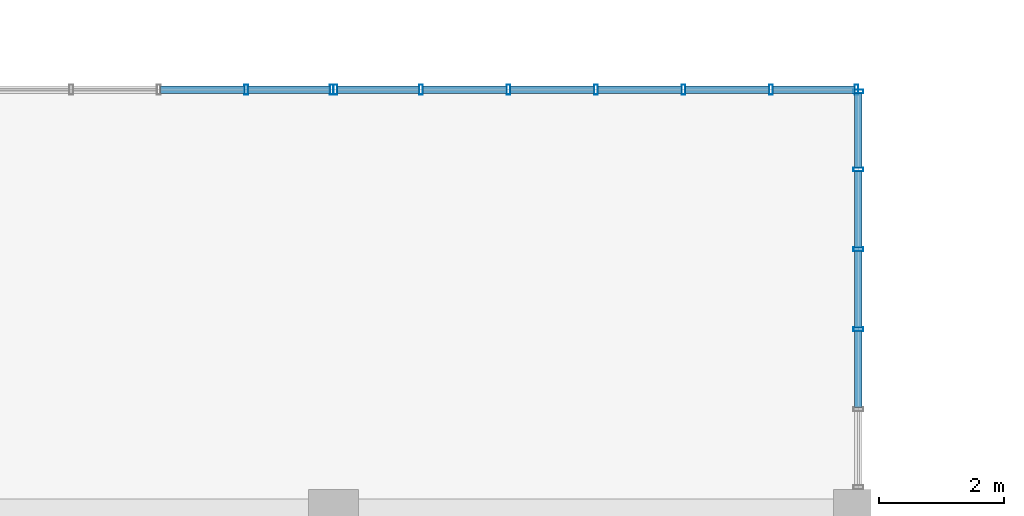
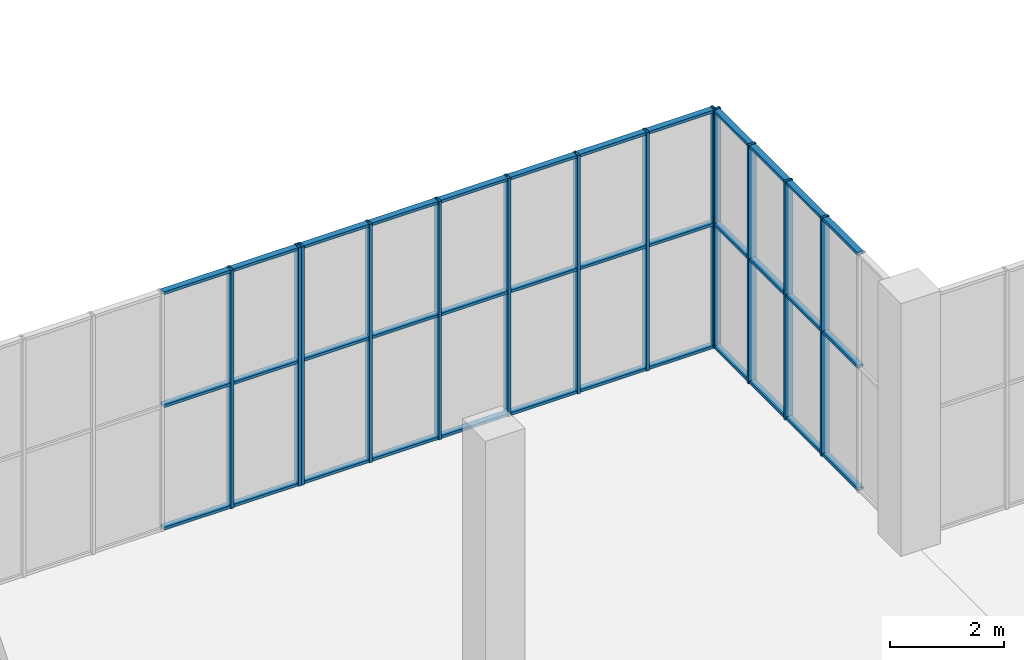
# One storey, part 33 of 91: 49 members, 3 elements without a shape of their own.
"""IFC4 building model written with IfcOpenShell, lengths in metres."""

from ifc_helpers import new_model, si_unit, direction, frame, origin, origin_2d, place, context, subcontext, project, spatial, hollow_rectangle, extrude, material, material_profile, profile_set, type_object, element, aggregate, save


model = new_model("IFC4")

# Units and contexts
model_context = context("Model", 3, precision=1e-05, world=origin(), true_north=direction((0.0, 1.0)))
body_context = subcontext(model_context, "Body", "Model", "MODEL_VIEW")
ifc_project = project(units=[si_unit("LENGTHUNIT", "METRE"), si_unit("AREAUNIT", "SQUARE_METRE"), si_unit("VOLUMEUNIT", "CUBIC_METRE"), si_unit("PLANEANGLEUNIT", "RADIAN"), si_unit("MASSUNIT", "GRAM", prefix="KILO")], contexts=[model_context])

# Site, building, storey
site_placement = place(None, origin())
site = spatial("IfcSite", under=ifc_project, at=site_placement, CompositionType="ELEMENT")
building_placement = place(site_placement, origin())
building = spatial("IfcBuilding", under=site, at=building_placement, Name="Khurvash Pelagic Aquarium", CompositionType="ELEMENT")
storey_placement = place(building_placement, origin())
storey = spatial("IfcBuildingStorey", under=building, at=storey_placement, Name="L00", CompositionType="ELEMENT", Elevation=0.0)

# Curtain wall, members
ifc_material_1 = material(Name="Anodised aluminium and low-E laminated glass", Category="aluminium")
curtain_wall_type_1 = type_object("IfcCurtainWallType", Name="CW-05", PredefinedType="USERDEFINED", material=ifc_material_1)
curtain_wall_1_placement = place(storey_placement, origin())
curtain_wall_1 = element("IfcCurtainWall", 1, at=curtain_wall_1_placement, inside=storey, type_object=curtain_wall_type_1, Name="L00 Facade Unitised Curtain Wall CW-05 0092", ObjectType="UNITISED CURTAIN WALL", PredefinedType="USERDEFINED")
ifc_material_2 = material(Name="Extruded aluminium AW-6063-T6", Category="aluminium")
ifc_material_profile_1 = material_profile(ifc_material_2, hollow_rectangle(XDim=0.06005859375, YDim=0.159912109375, WallThickness=0.00390625, at=origin_2d()), Name="CWM60X160X4")
ifc_profile_set_1 = profile_set([ifc_material_profile_1], Name="Extruded aluminium AW-6063-T6")
member_type_1 = type_object("IfcMemberType", Name="CM-02", PredefinedType="MULLION", material=ifc_profile_set_1)
member_1_placement = place(storey_placement, frame((109.199951171875, 32.712890625, 0.0), z_axis=(0.0, 0.0, 1.0), x_axis=(0.0, 1.0, 0.0)))
member_1 = element("IfcMember", 2, at=member_1_placement, type_object=member_type_1, Name="CW-05 mullion 3", PredefinedType="MULLION", context=body_context, shape_type="SweptSolid", body=[
    extrude(hollow_rectangle(XDim=0.06005859375, YDim=0.159912109375, WallThickness=0.00390625, at=origin_2d()), origin(), (0.0, 0.0, 1.0), 5.090087890625),
])
member_2_placement = place(storey_placement, frame((109.199951171875, 33.991943359375, 0.0), z_axis=(0.0, 0.0, 1.0), x_axis=(0.0, 1.0, 0.0)))
member_2 = element("IfcMember", 3, at=member_2_placement, type_object=member_type_1, Name="CW-05 mullion 4", PredefinedType="MULLION", context=body_context, shape_type="SweptSolid", body=[
    extrude(hollow_rectangle(XDim=0.06005859375, YDim=0.159912109375, WallThickness=0.00390625, at=origin_2d()), origin(), (0.0, 0.0, 1.0), 5.090087890625),
])
member_3_placement = place(storey_placement, frame((109.199951171875, 35.27099609375, 0.0), z_axis=(0.0, 0.0, 1.0), x_axis=(0.0, 1.0, 0.0)))
member_3 = element("IfcMember", 4, at=member_3_placement, type_object=member_type_1, Name="CW-05 mullion 5", PredefinedType="MULLION", context=body_context, shape_type="SweptSolid", body=[
    extrude(hollow_rectangle(XDim=0.06005859375, YDim=0.159912109375, WallThickness=0.00390625, at=origin_2d()), origin(), (0.0, 0.0, 1.0), 5.090087890625),
])
member_4_placement = place(storey_placement, frame((109.199951171875, 36.52001953125, 0.0), z_axis=(0.0, 0.0, 1.0), x_axis=(0.0, 1.0, 0.0)))
member_4 = element("IfcMember", 5, at=member_4_placement, type_object=member_type_1, Name="CW-05 mullion 6", PredefinedType="MULLION", context=body_context, shape_type="SweptSolid", body=[
    extrude(hollow_rectangle(XDim=0.06005859375, YDim=0.159912109375, WallThickness=0.00390625, at=origin_2d()), origin(), (0.0, 0.0, 1.0), 5.090087890625),
])

curtain_wall_type_2 = type_object("IfcCurtainWallType", Name="CW-02", PredefinedType="USERDEFINED", material=ifc_material_1)
curtain_wall_2_placement = place(storey_placement, origin())
curtain_wall_2 = element("IfcCurtainWall", 6, at=curtain_wall_2_placement, inside=storey, type_object=curtain_wall_type_2, Name="L00 Facade Unitised Curtain Wall CW-02 0093", ObjectType="UNITISED CURTAIN WALL", PredefinedType="USERDEFINED")
member_5_placement = place(storey_placement, frame((109.169921875, 36.550048828125, 0.0), z_axis=(0.0, 0.0, 1.0), x_axis=(-1.0, 0.0, 0.0)))
member_5 = element("IfcMember", 7, at=member_5_placement, type_object=member_type_1, Name="CW-02 mullion 1", PredefinedType="MULLION", context=body_context, shape_type="SweptSolid", body=[
    extrude(hollow_rectangle(XDim=0.06005859375, YDim=0.159912109375, WallThickness=0.00390625, at=origin_2d()), origin(), (0.0, 0.0, 1.0), 5.090087890625),
])
member_6_placement = place(storey_placement, frame((107.800048828125, 36.550048828125, 0.0), z_axis=(0.0, 0.0, 1.0), x_axis=(-1.0, 0.0, 0.0)))
member_6 = element("IfcMember", 8, at=member_6_placement, type_object=member_type_1, Name="CW-02 mullion 2", PredefinedType="MULLION", context=body_context, shape_type="SweptSolid", body=[
    extrude(hollow_rectangle(XDim=0.06005859375, YDim=0.159912109375, WallThickness=0.00390625, at=origin_2d()), origin(), (0.0, 0.0, 1.0), 5.090087890625),
])
member_7_placement = place(storey_placement, frame((106.39990234375, 36.550048828125, 0.0), z_axis=(0.0, 0.0, 1.0), x_axis=(-1.0, 0.0, 0.0)))
member_7 = element("IfcMember", 9, at=member_7_placement, type_object=member_type_1, Name="CW-02 mullion 3", PredefinedType="MULLION", context=body_context, shape_type="SweptSolid", body=[
    extrude(hollow_rectangle(XDim=0.06005859375, YDim=0.159912109375, WallThickness=0.00390625, at=origin_2d()), origin(), (0.0, 0.0, 1.0), 5.090087890625),
])
member_8_placement = place(storey_placement, frame((105.0, 36.550048828125, 0.0), z_axis=(0.0, 0.0, 1.0), x_axis=(-1.0, 0.0, 0.0)))
member_8 = element("IfcMember", 10, at=member_8_placement, type_object=member_type_1, Name="CW-02 mullion 4", PredefinedType="MULLION", context=body_context, shape_type="SweptSolid", body=[
    extrude(hollow_rectangle(XDim=0.06005859375, YDim=0.159912109375, WallThickness=0.00390625, at=origin_2d()), origin(), (0.0, 0.0, 1.0), 5.090087890625),
])
member_9_placement = place(storey_placement, frame((103.60009765625, 36.550048828125, 0.0), z_axis=(0.0, 0.0, 1.0), x_axis=(-1.0, 0.0, 0.0)))
member_9 = element("IfcMember", 11, at=member_9_placement, type_object=member_type_1, Name="CW-02 mullion 5", PredefinedType="MULLION", context=body_context, shape_type="SweptSolid", body=[
    extrude(hollow_rectangle(XDim=0.06005859375, YDim=0.159912109375, WallThickness=0.00390625, at=origin_2d()), origin(), (0.0, 0.0, 1.0), 5.090087890625),
])
member_10_placement = place(storey_placement, frame((102.199951171875, 36.550048828125, 0.0), z_axis=(0.0, 0.0, 1.0), x_axis=(-1.0, 0.0, 0.0)))
member_10 = element("IfcMember", 12, at=member_10_placement, type_object=member_type_1, Name="CW-02 mullion 6", PredefinedType="MULLION", context=body_context, shape_type="SweptSolid", body=[
    extrude(hollow_rectangle(XDim=0.06005859375, YDim=0.159912109375, WallThickness=0.00390625, at=origin_2d()), origin(), (0.0, 0.0, 1.0), 5.090087890625),
])
member_11_placement = place(storey_placement, frame((100.830078125, 36.550048828125, 0.0), z_axis=(0.0, 0.0, 1.0), x_axis=(-1.0, 0.0, 0.0)))
member_11 = element("IfcMember", 13, at=member_11_placement, type_object=member_type_1, Name="CW-02 mullion 7", PredefinedType="MULLION", context=body_context, shape_type="SweptSolid", body=[
    extrude(hollow_rectangle(XDim=0.06005859375, YDim=0.159912109375, WallThickness=0.00390625, at=origin_2d()), origin(), (0.0, 0.0, 1.0), 5.090087890625),
])

curtain_wall_3_placement = place(storey_placement, origin())
curtain_wall_3 = element("IfcCurtainWall", 14, at=curtain_wall_3_placement, inside=storey, type_object=curtain_wall_type_2, Name="L00 Facade Unitised Curtain Wall CW-02 0094", ObjectType="UNITISED CURTAIN WALL", PredefinedType="USERDEFINED")
member_12_placement = place(storey_placement, frame((100.77001953125, 36.550048828125, 0.0), z_axis=(0.0, 0.0, 1.0), x_axis=(-1.0, 0.0, 0.0)))
member_12 = element("IfcMember", 15, at=member_12_placement, type_object=member_type_1, Name="CW-02 mullion 1", PredefinedType="MULLION", context=body_context, shape_type="SweptSolid", body=[
    extrude(hollow_rectangle(XDim=0.06005859375, YDim=0.159912109375, WallThickness=0.00390625, at=origin_2d()), origin(), (0.0, 0.0, 1.0), 5.090087890625),
])
member_13_placement = place(storey_placement, frame((99.39990234375, 36.550048828125, 0.0), z_axis=(0.0, 0.0, 1.0), x_axis=(-1.0, 0.0, 0.0)))
member_13 = element("IfcMember", 16, at=member_13_placement, type_object=member_type_1, Name="CW-02 mullion 2", PredefinedType="MULLION", context=body_context, shape_type="SweptSolid", body=[
    extrude(hollow_rectangle(XDim=0.06005859375, YDim=0.159912109375, WallThickness=0.00390625, at=origin_2d()), origin(), (0.0, 0.0, 1.0), 5.090087890625),
])

# Member
ifc_material_profile_2 = material_profile(ifc_material_2, hollow_rectangle(XDim=0.1201171875, YDim=0.06005859375, WallThickness=0.00390625, at=origin_2d()), Name="CWT120X60X4")
ifc_profile_set_2 = profile_set([ifc_material_profile_2], Name="Extruded aluminium AW-6063-T6")
member_type_2 = type_object("IfcMemberType", Name="CT-02", PredefinedType="USERDEFINED", material=ifc_profile_set_2)
member_14_placement = place(storey_placement, frame((109.199951171875, 31.464111328125, 0.030029296875), z_axis=(0.0, 1.0, 0.0), x_axis=(-1.0, 0.0, 0.0)))
member_14 = element("IfcMember", 17, at=member_14_placement, type_object=member_type_2, Name="CW-05 transom 2.1", ObjectType="TRANSOM", PredefinedType="USERDEFINED", context=body_context, shape_type="SweptSolid", body=[
    extrude(hollow_rectangle(XDim=0.1201171875, YDim=0.06005859375, WallThickness=0.00390625, at=origin_2d()), origin(), (0.0, 0.0, 1.0), 1.218994140625),
])

member_15_placement = place(storey_placement, frame((109.199951171875, 31.464111328125, 2.64697265625), z_axis=(0.0, 1.0, 0.0), x_axis=(-1.0, 0.0, 0.0)))
member_15 = element("IfcMember", 18, at=member_15_placement, type_object=member_type_2, Name="CW-05 transom 2.2", ObjectType="TRANSOM", PredefinedType="USERDEFINED", context=body_context, shape_type="SweptSolid", body=[
    extrude(hollow_rectangle(XDim=0.1201171875, YDim=0.06005859375, WallThickness=0.00390625, at=origin_2d()), origin(), (0.0, 0.0, 1.0), 1.218994140625),
])

member_16_placement = place(storey_placement, frame((109.199951171875, 31.464111328125, 5.06005859375), z_axis=(0.0, 1.0, 0.0), x_axis=(-1.0, 0.0, 0.0)))
member_16 = element("IfcMember", 19, at=member_16_placement, type_object=member_type_2, Name="CW-05 transom 2.3", ObjectType="TRANSOM", PredefinedType="USERDEFINED", context=body_context, shape_type="SweptSolid", body=[
    extrude(hollow_rectangle(XDim=0.1201171875, YDim=0.06005859375, WallThickness=0.00390625, at=origin_2d()), origin(), (0.0, 0.0, 1.0), 1.218994140625),
])

member_17_placement = place(storey_placement, frame((109.199951171875, 32.742919921875, 0.030029296875), z_axis=(0.0, 1.0, 0.0), x_axis=(-1.0, 0.0, 0.0)))
member_17 = element("IfcMember", 20, at=member_17_placement, type_object=member_type_2, Name="CW-05 transom 3.1", ObjectType="TRANSOM", PredefinedType="USERDEFINED", context=body_context, shape_type="SweptSolid", body=[
    extrude(hollow_rectangle(XDim=0.1201171875, YDim=0.06005859375, WallThickness=0.00390625, at=origin_2d()), origin(), (0.0, 0.0, 1.0), 1.218994140625),
])

member_18_placement = place(storey_placement, frame((109.199951171875, 32.742919921875, 2.64697265625), z_axis=(0.0, 1.0, 0.0), x_axis=(-1.0, 0.0, 0.0)))
member_18 = element("IfcMember", 21, at=member_18_placement, type_object=member_type_2, Name="CW-05 transom 3.2", ObjectType="TRANSOM", PredefinedType="USERDEFINED", context=body_context, shape_type="SweptSolid", body=[
    extrude(hollow_rectangle(XDim=0.1201171875, YDim=0.06005859375, WallThickness=0.00390625, at=origin_2d()), origin(), (0.0, 0.0, 1.0), 1.218994140625),
])

member_19_placement = place(storey_placement, frame((109.199951171875, 32.742919921875, 5.06005859375), z_axis=(0.0, 1.0, 0.0), x_axis=(-1.0, 0.0, 0.0)))
member_19 = element("IfcMember", 22, at=member_19_placement, type_object=member_type_2, Name="CW-05 transom 3.3", ObjectType="TRANSOM", PredefinedType="USERDEFINED", context=body_context, shape_type="SweptSolid", body=[
    extrude(hollow_rectangle(XDim=0.1201171875, YDim=0.06005859375, WallThickness=0.00390625, at=origin_2d()), origin(), (0.0, 0.0, 1.0), 1.218994140625),
])

member_20_placement = place(storey_placement, frame((109.199951171875, 34.02197265625, 0.030029296875), z_axis=(0.0, 1.0, 0.0), x_axis=(-1.0, 0.0, 0.0)))
member_20 = element("IfcMember", 23, at=member_20_placement, type_object=member_type_2, Name="CW-05 transom 4.1", ObjectType="TRANSOM", PredefinedType="USERDEFINED", context=body_context, shape_type="SweptSolid", body=[
    extrude(hollow_rectangle(XDim=0.1201171875, YDim=0.06005859375, WallThickness=0.00390625, at=origin_2d()), origin(), (0.0, 0.0, 1.0), 1.218994140625),
])

member_21_placement = place(storey_placement, frame((109.199951171875, 34.02197265625, 2.64697265625), z_axis=(0.0, 1.0, 0.0), x_axis=(-1.0, 0.0, 0.0)))
member_21 = element("IfcMember", 24, at=member_21_placement, type_object=member_type_2, Name="CW-05 transom 4.2", ObjectType="TRANSOM", PredefinedType="USERDEFINED", context=body_context, shape_type="SweptSolid", body=[
    extrude(hollow_rectangle(XDim=0.1201171875, YDim=0.06005859375, WallThickness=0.00390625, at=origin_2d()), origin(), (0.0, 0.0, 1.0), 1.218994140625),
])

member_22_placement = place(storey_placement, frame((109.199951171875, 34.02197265625, 5.06005859375), z_axis=(0.0, 1.0, 0.0), x_axis=(-1.0, 0.0, 0.0)))
member_22 = element("IfcMember", 25, at=member_22_placement, type_object=member_type_2, Name="CW-05 transom 4.3", ObjectType="TRANSOM", PredefinedType="USERDEFINED", context=body_context, shape_type="SweptSolid", body=[
    extrude(hollow_rectangle(XDim=0.1201171875, YDim=0.06005859375, WallThickness=0.00390625, at=origin_2d()), origin(), (0.0, 0.0, 1.0), 1.218994140625),
])

member_23_placement = place(storey_placement, frame((109.199951171875, 35.301025390625, 0.030029296875), z_axis=(0.0, 1.0, 0.0), x_axis=(-1.0, 0.0, 0.0)))
member_23 = element("IfcMember", 26, at=member_23_placement, type_object=member_type_2, Name="CW-05 transom 5.1", ObjectType="TRANSOM", PredefinedType="USERDEFINED", context=body_context, shape_type="SweptSolid", body=[
    extrude(hollow_rectangle(XDim=0.1201171875, YDim=0.06005859375, WallThickness=0.00390625, at=origin_2d()), origin(), (0.0, 0.0, 1.0), 1.18896484375),
])

member_24_placement = place(storey_placement, frame((109.199951171875, 35.301025390625, 2.64697265625), z_axis=(0.0, 1.0, 0.0), x_axis=(-1.0, 0.0, 0.0)))
member_24 = element("IfcMember", 27, at=member_24_placement, type_object=member_type_2, Name="CW-05 transom 5.2", ObjectType="TRANSOM", PredefinedType="USERDEFINED", context=body_context, shape_type="SweptSolid", body=[
    extrude(hollow_rectangle(XDim=0.1201171875, YDim=0.06005859375, WallThickness=0.00390625, at=origin_2d()), origin(), (0.0, 0.0, 1.0), 1.18896484375),
])

member_25_placement = place(storey_placement, frame((109.199951171875, 35.301025390625, 5.06005859375), z_axis=(0.0, 1.0, 0.0), x_axis=(-1.0, 0.0, 0.0)))
member_25 = element("IfcMember", 28, at=member_25_placement, type_object=member_type_2, Name="CW-05 transom 5.3", ObjectType="TRANSOM", PredefinedType="USERDEFINED", context=body_context, shape_type="SweptSolid", body=[
    extrude(hollow_rectangle(XDim=0.1201171875, YDim=0.06005859375, WallThickness=0.00390625, at=origin_2d()), origin(), (0.0, 0.0, 1.0), 1.18896484375),
])

aggregate(curtain_wall_1, [member_1, member_2, member_3, member_4, member_14, member_15, member_16, member_17, member_18, member_19, member_20, member_21, member_22, member_23, member_24, member_25])

member_26_placement = place(storey_placement, frame((109.139892578125, 36.550048828125, 0.030029296875), z_axis=(-1.0, 0.0, 0.0), x_axis=(0.0, -1.0, 0.0)))
member_26 = element("IfcMember", 29, at=member_26_placement, type_object=member_type_2, Name="CW-02 transom 1.1", ObjectType="TRANSOM", PredefinedType="USERDEFINED", context=body_context, shape_type="SweptSolid", body=[
    extrude(hollow_rectangle(XDim=0.1201171875, YDim=0.06005859375, WallThickness=0.00390625, at=origin_2d()), origin(), (0.0, 0.0, 1.0), 1.309814453125),
])

member_27_placement = place(storey_placement, frame((109.139892578125, 36.550048828125, 2.64697265625), z_axis=(-1.0, 0.0, 0.0), x_axis=(0.0, -1.0, 0.0)))
member_27 = element("IfcMember", 30, at=member_27_placement, type_object=member_type_2, Name="CW-02 transom 1.2", ObjectType="TRANSOM", PredefinedType="USERDEFINED", context=body_context, shape_type="SweptSolid", body=[
    extrude(hollow_rectangle(XDim=0.1201171875, YDim=0.06005859375, WallThickness=0.00390625, at=origin_2d()), origin(), (0.0, 0.0, 1.0), 1.309814453125),
])

member_28_placement = place(storey_placement, frame((109.139892578125, 36.550048828125, 5.06005859375), z_axis=(-1.0, 0.0, 0.0), x_axis=(0.0, -1.0, 0.0)))
member_28 = element("IfcMember", 31, at=member_28_placement, type_object=member_type_2, Name="CW-02 transom 1.3", ObjectType="TRANSOM", PredefinedType="USERDEFINED", context=body_context, shape_type="SweptSolid", body=[
    extrude(hollow_rectangle(XDim=0.1201171875, YDim=0.06005859375, WallThickness=0.00390625, at=origin_2d()), origin(), (0.0, 0.0, 1.0), 1.309814453125),
])

member_29_placement = place(storey_placement, frame((107.77001953125, 36.550048828125, 0.030029296875), z_axis=(-1.0, 0.0, 0.0), x_axis=(0.0, -1.0, 0.0)))
member_29 = element("IfcMember", 32, at=member_29_placement, type_object=member_type_2, Name="CW-02 transom 2.1", ObjectType="TRANSOM", PredefinedType="USERDEFINED", context=body_context, shape_type="SweptSolid", body=[
    extrude(hollow_rectangle(XDim=0.1201171875, YDim=0.06005859375, WallThickness=0.00390625, at=origin_2d()), origin(), (0.0, 0.0, 1.0), 1.340087890625),
])

member_30_placement = place(storey_placement, frame((107.77001953125, 36.550048828125, 2.64697265625), z_axis=(-1.0, 0.0, 0.0), x_axis=(0.0, -1.0, 0.0)))
member_30 = element("IfcMember", 33, at=member_30_placement, type_object=member_type_2, Name="CW-02 transom 2.2", ObjectType="TRANSOM", PredefinedType="USERDEFINED", context=body_context, shape_type="SweptSolid", body=[
    extrude(hollow_rectangle(XDim=0.1201171875, YDim=0.06005859375, WallThickness=0.00390625, at=origin_2d()), origin(), (0.0, 0.0, 1.0), 1.340087890625),
])

member_31_placement = place(storey_placement, frame((107.77001953125, 36.550048828125, 5.06005859375), z_axis=(-1.0, 0.0, 0.0), x_axis=(0.0, -1.0, 0.0)))
member_31 = element("IfcMember", 34, at=member_31_placement, type_object=member_type_2, Name="CW-02 transom 2.3", ObjectType="TRANSOM", PredefinedType="USERDEFINED", context=body_context, shape_type="SweptSolid", body=[
    extrude(hollow_rectangle(XDim=0.1201171875, YDim=0.06005859375, WallThickness=0.00390625, at=origin_2d()), origin(), (0.0, 0.0, 1.0), 1.340087890625),
])

member_32_placement = place(storey_placement, frame((106.3701171875, 36.550048828125, 0.030029296875), z_axis=(-1.0, 0.0, 0.0), x_axis=(0.0, -1.0, 0.0)))
member_32 = element("IfcMember", 35, at=member_32_placement, type_object=member_type_2, Name="CW-02 transom 3.1", ObjectType="TRANSOM", PredefinedType="USERDEFINED", context=body_context, shape_type="SweptSolid", body=[
    extrude(hollow_rectangle(XDim=0.1201171875, YDim=0.06005859375, WallThickness=0.00390625, at=origin_2d()), origin(), (0.0, 0.0, 1.0), 1.340087890625),
])

member_33_placement = place(storey_placement, frame((106.3701171875, 36.550048828125, 2.64697265625), z_axis=(-1.0, 0.0, 0.0), x_axis=(0.0, -1.0, 0.0)))
member_33 = element("IfcMember", 36, at=member_33_placement, type_object=member_type_2, Name="CW-02 transom 3.2", ObjectType="TRANSOM", PredefinedType="USERDEFINED", context=body_context, shape_type="SweptSolid", body=[
    extrude(hollow_rectangle(XDim=0.1201171875, YDim=0.06005859375, WallThickness=0.00390625, at=origin_2d()), origin(), (0.0, 0.0, 1.0), 1.340087890625),
])

member_34_placement = place(storey_placement, frame((106.3701171875, 36.550048828125, 5.06005859375), z_axis=(-1.0, 0.0, 0.0), x_axis=(0.0, -1.0, 0.0)))
member_34 = element("IfcMember", 37, at=member_34_placement, type_object=member_type_2, Name="CW-02 transom 3.3", ObjectType="TRANSOM", PredefinedType="USERDEFINED", context=body_context, shape_type="SweptSolid", body=[
    extrude(hollow_rectangle(XDim=0.1201171875, YDim=0.06005859375, WallThickness=0.00390625, at=origin_2d()), origin(), (0.0, 0.0, 1.0), 1.340087890625),
])

member_35_placement = place(storey_placement, frame((104.969970703125, 36.550048828125, 0.030029296875), z_axis=(-1.0, 0.0, 0.0), x_axis=(0.0, -1.0, 0.0)))
member_35 = element("IfcMember", 38, at=member_35_placement, type_object=member_type_2, Name="CW-02 transom 4.1", ObjectType="TRANSOM", PredefinedType="USERDEFINED", context=body_context, shape_type="SweptSolid", body=[
    extrude(hollow_rectangle(XDim=0.1201171875, YDim=0.06005859375, WallThickness=0.00390625, at=origin_2d()), origin(), (0.0, 0.0, 1.0), 1.340087890625),
])

member_36_placement = place(storey_placement, frame((104.969970703125, 36.550048828125, 2.64697265625), z_axis=(-1.0, 0.0, 0.0), x_axis=(0.0, -1.0, 0.0)))
member_36 = element("IfcMember", 39, at=member_36_placement, type_object=member_type_2, Name="CW-02 transom 4.2", ObjectType="TRANSOM", PredefinedType="USERDEFINED", context=body_context, shape_type="SweptSolid", body=[
    extrude(hollow_rectangle(XDim=0.1201171875, YDim=0.06005859375, WallThickness=0.00390625, at=origin_2d()), origin(), (0.0, 0.0, 1.0), 1.340087890625),
])

member_37_placement = place(storey_placement, frame((104.969970703125, 36.550048828125, 5.06005859375), z_axis=(-1.0, 0.0, 0.0), x_axis=(0.0, -1.0, 0.0)))
member_37 = element("IfcMember", 40, at=member_37_placement, type_object=member_type_2, Name="CW-02 transom 4.3", ObjectType="TRANSOM", PredefinedType="USERDEFINED", context=body_context, shape_type="SweptSolid", body=[
    extrude(hollow_rectangle(XDim=0.1201171875, YDim=0.06005859375, WallThickness=0.00390625, at=origin_2d()), origin(), (0.0, 0.0, 1.0), 1.340087890625),
])

member_38_placement = place(storey_placement, frame((103.570068359375, 36.550048828125, 0.030029296875), z_axis=(-1.0, 0.0, 0.0), x_axis=(0.0, -1.0, 0.0)))
member_38 = element("IfcMember", 41, at=member_38_placement, type_object=member_type_2, Name="CW-02 transom 5.1", ObjectType="TRANSOM", PredefinedType="USERDEFINED", context=body_context, shape_type="SweptSolid", body=[
    extrude(hollow_rectangle(XDim=0.1201171875, YDim=0.06005859375, WallThickness=0.00390625, at=origin_2d()), origin(), (0.0, 0.0, 1.0), 1.340087890625),
])

member_39_placement = place(storey_placement, frame((103.570068359375, 36.550048828125, 2.64697265625), z_axis=(-1.0, 0.0, 0.0), x_axis=(0.0, -1.0, 0.0)))
member_39 = element("IfcMember", 42, at=member_39_placement, type_object=member_type_2, Name="CW-02 transom 5.2", ObjectType="TRANSOM", PredefinedType="USERDEFINED", context=body_context, shape_type="SweptSolid", body=[
    extrude(hollow_rectangle(XDim=0.1201171875, YDim=0.06005859375, WallThickness=0.00390625, at=origin_2d()), origin(), (0.0, 0.0, 1.0), 1.340087890625),
])

member_40_placement = place(storey_placement, frame((103.570068359375, 36.550048828125, 5.06005859375), z_axis=(-1.0, 0.0, 0.0), x_axis=(0.0, -1.0, 0.0)))
member_40 = element("IfcMember", 43, at=member_40_placement, type_object=member_type_2, Name="CW-02 transom 5.3", ObjectType="TRANSOM", PredefinedType="USERDEFINED", context=body_context, shape_type="SweptSolid", body=[
    extrude(hollow_rectangle(XDim=0.1201171875, YDim=0.06005859375, WallThickness=0.00390625, at=origin_2d()), origin(), (0.0, 0.0, 1.0), 1.340087890625),
])

member_41_placement = place(storey_placement, frame((102.169921875, 36.550048828125, 0.030029296875), z_axis=(-1.0, 0.0, 0.0), x_axis=(0.0, -1.0, 0.0)))
member_41 = element("IfcMember", 44, at=member_41_placement, type_object=member_type_2, Name="CW-02 transom 6.1", ObjectType="TRANSOM", PredefinedType="USERDEFINED", context=body_context, shape_type="SweptSolid", body=[
    extrude(hollow_rectangle(XDim=0.1201171875, YDim=0.06005859375, WallThickness=0.00390625, at=origin_2d()), origin(), (0.0, 0.0, 1.0), 1.309814453125),
])

member_42_placement = place(storey_placement, frame((102.169921875, 36.550048828125, 2.64697265625), z_axis=(-1.0, 0.0, 0.0), x_axis=(0.0, -1.0, 0.0)))
member_42 = element("IfcMember", 45, at=member_42_placement, type_object=member_type_2, Name="CW-02 transom 6.2", ObjectType="TRANSOM", PredefinedType="USERDEFINED", context=body_context, shape_type="SweptSolid", body=[
    extrude(hollow_rectangle(XDim=0.1201171875, YDim=0.06005859375, WallThickness=0.00390625, at=origin_2d()), origin(), (0.0, 0.0, 1.0), 1.309814453125),
])

member_43_placement = place(storey_placement, frame((102.169921875, 36.550048828125, 5.06005859375), z_axis=(-1.0, 0.0, 0.0), x_axis=(0.0, -1.0, 0.0)))
member_43 = element("IfcMember", 46, at=member_43_placement, type_object=member_type_2, Name="CW-02 transom 6.3", ObjectType="TRANSOM", PredefinedType="USERDEFINED", context=body_context, shape_type="SweptSolid", body=[
    extrude(hollow_rectangle(XDim=0.1201171875, YDim=0.06005859375, WallThickness=0.00390625, at=origin_2d()), origin(), (0.0, 0.0, 1.0), 1.309814453125),
])

aggregate(curtain_wall_2, [member_5, member_6, member_7, member_8, member_9, member_10, member_11, member_26, member_27, member_28, member_29, member_30, member_31, member_32, member_33, member_34, member_35, member_36, member_37, member_38, member_39, member_40, member_41, member_42, member_43])

member_44_placement = place(storey_placement, frame((100.739990234375, 36.550048828125, 0.030029296875), z_axis=(-1.0, 0.0, 0.0), x_axis=(0.0, -1.0, 0.0)))
member_44 = element("IfcMember", 47, at=member_44_placement, type_object=member_type_2, Name="CW-02 transom 1.1", ObjectType="TRANSOM", PredefinedType="USERDEFINED", context=body_context, shape_type="SweptSolid", body=[
    extrude(hollow_rectangle(XDim=0.1201171875, YDim=0.06005859375, WallThickness=0.00390625, at=origin_2d()), origin(), (0.0, 0.0, 1.0), 1.31005859375),
])

member_45_placement = place(storey_placement, frame((100.739990234375, 36.550048828125, 2.64697265625), z_axis=(-1.0, 0.0, 0.0), x_axis=(0.0, -1.0, 0.0)))
member_45 = element("IfcMember", 48, at=member_45_placement, type_object=member_type_2, Name="CW-02 transom 1.2", ObjectType="TRANSOM", PredefinedType="USERDEFINED", context=body_context, shape_type="SweptSolid", body=[
    extrude(hollow_rectangle(XDim=0.1201171875, YDim=0.06005859375, WallThickness=0.00390625, at=origin_2d()), origin(), (0.0, 0.0, 1.0), 1.31005859375),
])

member_46_placement = place(storey_placement, frame((100.739990234375, 36.550048828125, 5.06005859375), z_axis=(-1.0, 0.0, 0.0), x_axis=(0.0, -1.0, 0.0)))
member_46 = element("IfcMember", 49, at=member_46_placement, type_object=member_type_2, Name="CW-02 transom 1.3", ObjectType="TRANSOM", PredefinedType="USERDEFINED", context=body_context, shape_type="SweptSolid", body=[
    extrude(hollow_rectangle(XDim=0.1201171875, YDim=0.06005859375, WallThickness=0.00390625, at=origin_2d()), origin(), (0.0, 0.0, 1.0), 1.31005859375),
])

member_47_placement = place(storey_placement, frame((99.3701171875, 36.550048828125, 0.030029296875), z_axis=(-1.0, 0.0, 0.0), x_axis=(0.0, -1.0, 0.0)))
member_47 = element("IfcMember", 50, at=member_47_placement, type_object=member_type_2, Name="CW-02 transom 2.1", ObjectType="TRANSOM", PredefinedType="USERDEFINED", context=body_context, shape_type="SweptSolid", body=[
    extrude(hollow_rectangle(XDim=0.1201171875, YDim=0.06005859375, WallThickness=0.00390625, at=origin_2d()), origin(), (0.0, 0.0, 1.0), 1.340087890625),
])

member_48_placement = place(storey_placement, frame((99.3701171875, 36.550048828125, 2.64697265625), z_axis=(-1.0, 0.0, 0.0), x_axis=(0.0, -1.0, 0.0)))
member_48 = element("IfcMember", 51, at=member_48_placement, type_object=member_type_2, Name="CW-02 transom 2.2", ObjectType="TRANSOM", PredefinedType="USERDEFINED", context=body_context, shape_type="SweptSolid", body=[
    extrude(hollow_rectangle(XDim=0.1201171875, YDim=0.06005859375, WallThickness=0.00390625, at=origin_2d()), origin(), (0.0, 0.0, 1.0), 1.340087890625),
])

member_49_placement = place(storey_placement, frame((99.3701171875, 36.550048828125, 5.06005859375), z_axis=(-1.0, 0.0, 0.0), x_axis=(0.0, -1.0, 0.0)))
member_49 = element("IfcMember", 52, at=member_49_placement, type_object=member_type_2, Name="CW-02 transom 2.3", ObjectType="TRANSOM", PredefinedType="USERDEFINED", context=body_context, shape_type="SweptSolid", body=[
    extrude(hollow_rectangle(XDim=0.1201171875, YDim=0.06005859375, WallThickness=0.00390625, at=origin_2d()), origin(), (0.0, 0.0, 1.0), 1.340087890625),
])

aggregate(curtain_wall_3, [member_12, member_13, member_44, member_45, member_46, member_47, member_48, member_49])

save(model, "model.ifc")
